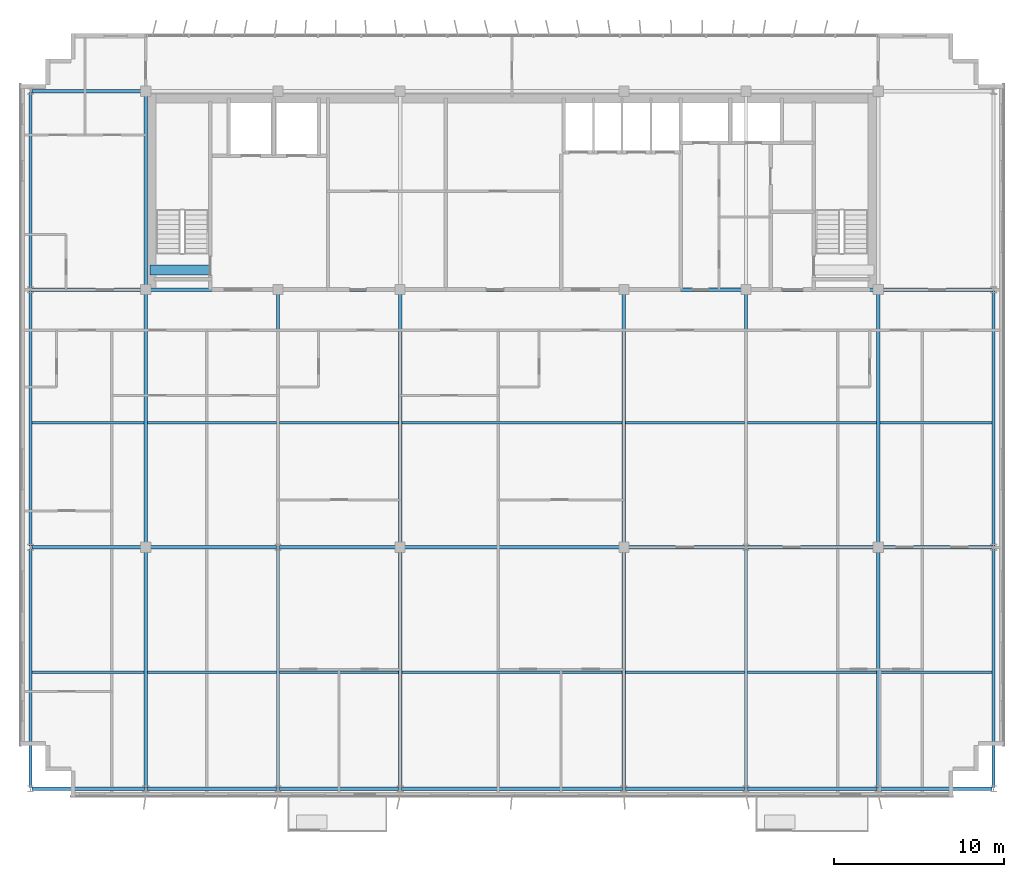
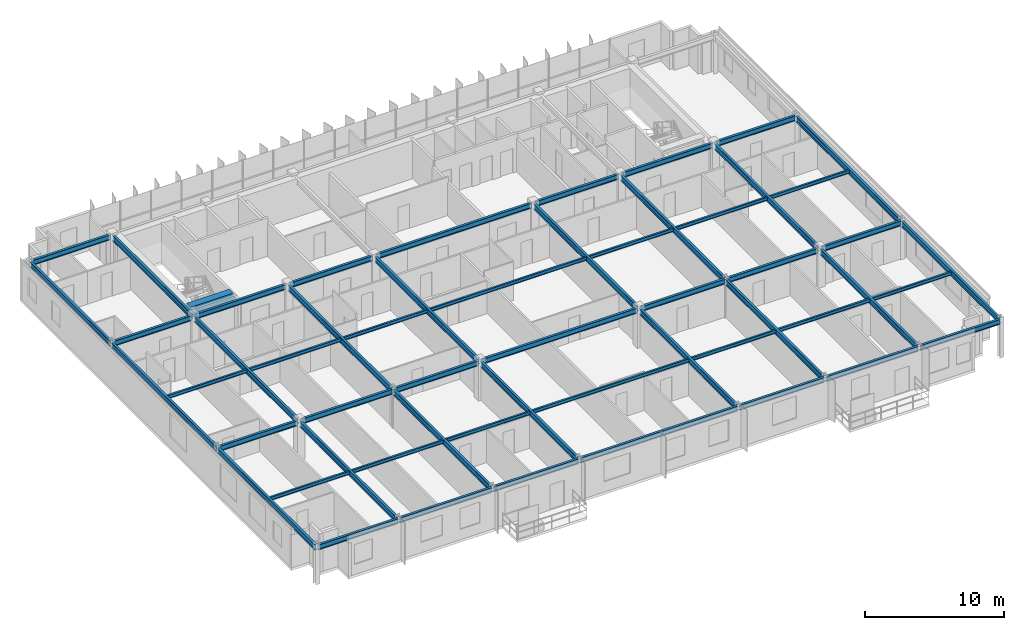
# One storey, part 5 of 23: 55 beams.
"""IFC4 building model written with IfcOpenShell, lengths in metres."""

from ifc_helpers import new_model, si_unit, direction, frame, origin, origin_2d, place, context, subcontext, project, spatial, rectangle, i_section, extrude, source, transform, mapped, material, material_profile, profile_set, type_object, element, save


model = new_model("IFC4")

# Units and contexts
model_context = context("Model", 3, precision=1e-05, world=origin(), true_north=direction((0.0, 1.0)))
body_context = subcontext(model_context, "Body", "Model", "MODEL_VIEW")
ifc_project = project(units=[si_unit("LENGTHUNIT", "METRE"), si_unit("AREAUNIT", "SQUARE_METRE"), si_unit("VOLUMEUNIT", "CUBIC_METRE"), si_unit("PLANEANGLEUNIT", "RADIAN"), si_unit("MASSUNIT", "GRAM", prefix="KILO")], contexts=[model_context])

# Site, building, storey
site_placement = place(None, origin())
site = spatial("IfcSite", under=ifc_project, at=site_placement, CompositionType="ELEMENT")
building_placement = place(site_placement, origin())
building = spatial("IfcBuilding", under=site, at=building_placement, Name="Trelvane Seafront Commons", CompositionType="ELEMENT")
storey_placement = place(building_placement, frame((0.0, 0.0, 266.699951171875)))
storey = spatial("IfcBuildingStorey", under=building, at=storey_placement, Name="L69", CompositionType="ELEMENT", Elevation=266.699951171875)

# Beams
ifc_material_1 = material(Name="Concrete C60/75", Category="concrete")
ifc_material_profile_1 = material_profile(ifc_material_1, rectangle(XDim=0.60009765625, YDim=0.89990234375, at=origin_2d()), Name="RC-600x900")
ifc_profile_set_1 = profile_set([ifc_material_profile_1], Name="Concrete C60/75")
beam_type_1 = type_object("IfcBeamType", Name="STR-LNT-RC600x900", PredefinedType="LINTEL", material=ifc_profile_set_1)
shared_shape_1 = source(origin(), body_context, "Body", "SweptSolid", [
    extrude(rectangle(XDim=0.60009765625, YDim=0.89990234375, at=origin_2d()), origin(), (0.0, 0.0, 1.0), 3.5498046875),
])
beam_1_placement = place(storey_placement, frame((15.85009765625, 34.550048828125, 2.920166015625), z_axis=(1.0, 0.0, 0.0), x_axis=(0.0, 1.0, 0.0)))
element("IfcBeam", 1, at=beam_1_placement, inside=storey, type_object=beam_type_1, Name="L69 Core Coupling Lintel Beam CB-67", PredefinedType="LINTEL", context=body_context, shape_type="MappedRepresentation", body=[
    mapped(shared_shape_1, transform((0.0, 0.0, 0.0), x_axis=(1.0, 0.0, 0.0), y_axis=(0.0, 1.0, 0.0), z_axis=(0.0, 0.0, 1.0), scale=1.0)),
])
ifc_material_2 = material(Name="Steel SM355 (S355)", Category="steel")
ifc_material_profile_2 = material_profile(ifc_material_2, i_section(OverallWidth=0.199951171875, OverallDepth=0.5, WebThickness=0.010009765625, FlangeThickness=0.01611328125, at=origin_2d()), Name="H-500x200x10x16")
ifc_profile_set_2 = profile_set([ifc_material_profile_2], Name="Steel SM355 (S355)")
beam_type_2 = type_object("IfcBeamType", Name="STR-BM-H500", PredefinedType="BEAM", material=ifc_profile_set_2)
shared_shape_2 = source(origin(), body_context, "Body", "SweptSolid", [
    extrude(i_section(OverallWidth=0.199951171875, OverallDepth=0.5, WebThickness=0.010009765625, FlangeThickness=0.01611328125, at=origin_2d()), origin(), (0.0, 0.0, 1.0), 14.89990234375),
])
for number, where, z_axis, x_axis, name in (
    (2, (15.60009765625, 18.35009765625, 3.1201171875), (0.0, 1.0, 0.0), (-1.0, 0.0, 0.0), "L69 Primary Girder G-33"),
    (3, (30.60009765625, 18.35009765625, 3.1201171875), (0.0, 1.0, 0.0), (-1.0, 0.0, 0.0), "L69 Primary Girder G-39"),
    (4, (43.800048828125, 18.35009765625, 3.1201171875), (0.0, 1.0, 0.0), (-1.0, 0.0, 0.0), "L69 Primary Girder G-42"),
    (5, (58.800048828125, 18.35009765625, 3.1201171875), (0.0, 1.0, 0.0), (-1.0, 0.0, 0.0), "L69 Primary Girder G-48"),
):
    element("IfcBeam", number, at=place(storey_placement, frame(where, z_axis=z_axis, x_axis=x_axis)), inside=storey, type_object=beam_type_2, Name=name, PredefinedType="BEAM", context=body_context, shape_type="MappedRepresentation", body=[
        mapped(shared_shape_2, transform((0.0, 0.0, 0.0), x_axis=(1.0, 0.0, 0.0), y_axis=(0.0, 1.0, 0.0), z_axis=(0.0, 0.0, 1.0), scale=1.0)),
    ])
shared_shape_3 = source(origin(), body_context, "Body", "SweptSolid", [
    extrude(i_section(OverallWidth=0.199951171875, OverallDepth=0.5, WebThickness=0.010009765625, FlangeThickness=0.01611328125, at=origin_2d()), origin(), (0.0, 0.0, 1.0), 11.39990234375),
])
beam_2_placement = place(storey_placement, frame((15.60009765625, 33.550048828125, 3.1201171875), z_axis=(0.0, 1.0, 0.0), x_axis=(-1.0, 0.0, 0.0)))
element("IfcBeam", 6, at=beam_2_placement, inside=storey, type_object=beam_type_2, Name="L69 Primary Girder G-34", PredefinedType="BEAM", context=body_context, shape_type="MappedRepresentation", body=[
    mapped(shared_shape_3, transform((0.0, 0.0, 0.0), x_axis=(1.0, 0.0, 0.0), y_axis=(0.0, 1.0, 0.0), z_axis=(0.0, 0.0, 1.0), scale=1.0)),
])
ifc_material_profile_3 = material_profile(ifc_material_2, i_section(OverallWidth=0.199951171875, OverallDepth=0.449951171875, WebThickness=0.009033203125, FlangeThickness=0.013916015625, at=origin_2d()), Name="H-450x200x9x14")
ifc_profile_set_3 = profile_set([ifc_material_profile_3], Name="Steel SM355 (S355)")
beam_type_3 = type_object("IfcBeamType", Name="STR-SPD-H450", PredefinedType="SPANDREL", material=ifc_profile_set_3)
shared_shape_4 = source(origin(), body_context, "Body", "SweptSolid", [
    extrude(i_section(OverallWidth=0.199951171875, OverallDepth=0.449951171875, WebThickness=0.009033203125, FlangeThickness=0.013916015625, at=origin_2d()), origin(), (0.0, 0.0, 1.0), 6.625),
])
for number, where, z_axis, x_axis, name in (
    (7, (8.887451171875, 3.949951171875, 3.14501953125), (1.0, 0.0, 0.0), (0.0, 1.0, 0.0), "L69 Primary Girder G-01"),
    (8, (58.887451171875, 3.949951171875, 3.14501953125), (1.0, 0.0, 0.0), (0.0, 1.0, 0.0), "L69 Primary Girder G-07"),
):
    element("IfcBeam", number, at=place(storey_placement, frame(where, z_axis=z_axis, x_axis=x_axis)), inside=storey, type_object=beam_type_3, Name=name, PredefinedType="SPANDREL", context=body_context, shape_type="MappedRepresentation", body=[
        mapped(shared_shape_4, transform((0.0, 0.0, 0.0), x_axis=(1.0, 0.0, 0.0), y_axis=(0.0, 1.0, 0.0), z_axis=(0.0, 0.0, 1.0), scale=1.0)),
    ])
shared_shape_5 = source(origin(), body_context, "Body", "SweptSolid", [
    extrude(i_section(OverallWidth=0.199951171875, OverallDepth=0.449951171875, WebThickness=0.009033203125, FlangeThickness=0.013916015625, at=origin_2d()), origin(), (0.0, 0.0, 1.0), 7.625),
])
for number, where, z_axis, x_axis, name in (
    (9, (15.6875, 3.949951171875, 3.14501953125), (1.0, 0.0, 0.0), (0.0, 1.0, 0.0), "L69 Primary Girder G-02"),
    (10, (51.08740234375, 3.949951171875, 3.14501953125), (1.0, 0.0, 0.0), (0.0, 1.0, 0.0), "L69 Primary Girder G-06"),
):
    element("IfcBeam", number, at=place(storey_placement, frame(where, z_axis=z_axis, x_axis=x_axis)), inside=storey, type_object=beam_type_3, Name=name, PredefinedType="SPANDREL", context=body_context, shape_type="MappedRepresentation", body=[
        mapped(shared_shape_5, transform((0.0, 0.0, 0.0), x_axis=(1.0, 0.0, 0.0), y_axis=(0.0, 1.0, 0.0), z_axis=(0.0, 0.0, 1.0), scale=1.0)),
    ])
shared_shape_6 = source(origin(), body_context, "Body", "SweptSolid", [
    extrude(i_section(OverallWidth=0.199951171875, OverallDepth=0.449951171875, WebThickness=0.009033203125, FlangeThickness=0.013916015625, at=origin_2d()), origin(), (0.0, 0.0, 1.0), 7.02490234375),
])
beam_3_placement = place(storey_placement, frame((23.487548828125, 3.949951171875, 3.14501953125), z_axis=(1.0, 0.0, 0.0), x_axis=(0.0, 1.0, 0.0)))
element("IfcBeam", 11, at=beam_3_placement, inside=storey, type_object=beam_type_3, Name="L69 Primary Girder G-03", PredefinedType="SPANDREL", context=body_context, shape_type="MappedRepresentation", body=[
    mapped(shared_shape_6, transform((0.0, 0.0, 0.0), x_axis=(1.0, 0.0, 0.0), y_axis=(0.0, 1.0, 0.0), z_axis=(0.0, 0.0, 1.0), scale=1.0)),
])
shared_shape_7 = source(origin(), body_context, "Body", "SweptSolid", [
    extrude(i_section(OverallWidth=0.199951171875, OverallDepth=0.449951171875, WebThickness=0.009033203125, FlangeThickness=0.013916015625, at=origin_2d()), origin(), (0.0, 0.0, 1.0), 7.025146484375),
])
beam_4_placement = place(storey_placement, frame((43.887451171875, 3.949951171875, 3.14501953125), z_axis=(1.0, 0.0, 0.0), x_axis=(0.0, 1.0, 0.0)))
element("IfcBeam", 12, at=beam_4_placement, inside=storey, type_object=beam_type_3, Name="L69 Primary Girder G-05", PredefinedType="SPANDREL", context=body_context, shape_type="MappedRepresentation", body=[
    mapped(shared_shape_7, transform((0.0, 0.0, 0.0), x_axis=(1.0, 0.0, 0.0), y_axis=(0.0, 1.0, 0.0), z_axis=(0.0, 0.0, 1.0), scale=1.0)),
])
shared_shape_8 = source(origin(), body_context, "Body", "SweptSolid", [
    extrude(i_section(OverallWidth=0.199951171875, OverallDepth=0.449951171875, WebThickness=0.009033203125, FlangeThickness=0.013916015625, at=origin_2d()), origin(), (0.0, 0.0, 1.0), 6.5625),
])
for number, where, z_axis, x_axis, name in (
    (13, (8.887451171875, 18.199951171875, 3.14501953125), (1.0, 0.0, 0.0), (0.0, 1.0, 0.0), "L69 Primary Girder G-08"),
    (14, (58.949951171875, 18.199951171875, 3.14501953125), (1.0, 0.0, 0.0), (0.0, 1.0, 0.0), "L69 Primary Girder G-14"),
    (15, (8.887451171875, 33.39990234375, 3.14501953125), (1.0, 0.0, 0.0), (0.0, 1.0, 0.0), "L69 Primary Girder G-15"),
    (16, (58.949951171875, 33.39990234375, 3.14501953125), (1.0, 0.0, 0.0), (0.0, 1.0, 0.0), "L69 Primary Girder G-21"),
    (17, (8.887451171875, 45.10009765625, 3.14501953125), (1.0, 0.0, 0.0), (0.0, 1.0, 0.0), "L69 Primary Girder G-22"),
):
    element("IfcBeam", number, at=place(storey_placement, frame(where, z_axis=z_axis, x_axis=x_axis)), inside=storey, type_object=beam_type_3, Name=name, PredefinedType="SPANDREL", context=body_context, shape_type="MappedRepresentation", body=[
        mapped(shared_shape_8, transform((0.0, 0.0, 0.0), x_axis=(1.0, 0.0, 0.0), y_axis=(0.0, 1.0, 0.0), z_axis=(0.0, 0.0, 1.0), scale=1.0)),
    ])
shared_shape_9 = source(origin(), body_context, "Body", "SweptSolid", [
    extrude(i_section(OverallWidth=0.199951171875, OverallDepth=0.449951171875, WebThickness=0.009033203125, FlangeThickness=0.013916015625, at=origin_2d()), origin(), (0.0, 0.0, 1.0), 7.5625),
])
for number, where, z_axis, x_axis, name in (
    (18, (15.75, 18.199951171875, 3.14501953125), (1.0, 0.0, 0.0), (0.0, 1.0, 0.0), "L69 Primary Girder G-09"),
    (19, (51.08740234375, 18.199951171875, 3.14501953125), (1.0, 0.0, 0.0), (0.0, 1.0, 0.0), "L69 Primary Girder G-13"),
):
    element("IfcBeam", number, at=place(storey_placement, frame(where, z_axis=z_axis, x_axis=x_axis)), inside=storey, type_object=beam_type_3, Name=name, PredefinedType="SPANDREL", context=body_context, shape_type="MappedRepresentation", body=[
        mapped(shared_shape_9, transform((0.0, 0.0, 0.0), x_axis=(1.0, 0.0, 0.0), y_axis=(0.0, 1.0, 0.0), z_axis=(0.0, 0.0, 1.0), scale=1.0)),
    ])
shared_shape_10 = source(origin(), body_context, "Body", "SweptSolid", [
    extrude(i_section(OverallWidth=0.199951171875, OverallDepth=0.449951171875, WebThickness=0.009033203125, FlangeThickness=0.013916015625, at=origin_2d()), origin(), (0.0, 0.0, 1.0), 6.96240234375),
])
beam_5_placement = place(storey_placement, frame((23.487548828125, 18.199951171875, 3.14501953125), z_axis=(1.0, 0.0, 0.0), x_axis=(0.0, 1.0, 0.0)))
element("IfcBeam", 20, at=beam_5_placement, inside=storey, type_object=beam_type_3, Name="L69 Primary Girder G-10", PredefinedType="SPANDREL", context=body_context, shape_type="MappedRepresentation", body=[
    mapped(shared_shape_10, transform((0.0, 0.0, 0.0), x_axis=(1.0, 0.0, 0.0), y_axis=(0.0, 1.0, 0.0), z_axis=(0.0, 0.0, 1.0), scale=1.0)),
])
shared_shape_11 = source(origin(), body_context, "Body", "SweptSolid", [
    extrude(i_section(OverallWidth=0.199951171875, OverallDepth=0.449951171875, WebThickness=0.009033203125, FlangeThickness=0.013916015625, at=origin_2d()), origin(), (0.0, 0.0, 1.0), 6.962646484375),
])
beam_6_placement = place(storey_placement, frame((43.949951171875, 18.199951171875, 3.14501953125), z_axis=(1.0, 0.0, 0.0), x_axis=(0.0, 1.0, 0.0)))
element("IfcBeam", 21, at=beam_6_placement, inside=storey, type_object=beam_type_3, Name="L69 Primary Girder G-12", PredefinedType="SPANDREL", context=body_context, shape_type="MappedRepresentation", body=[
    mapped(shared_shape_11, transform((0.0, 0.0, 0.0), x_axis=(1.0, 0.0, 0.0), y_axis=(0.0, 1.0, 0.0), z_axis=(0.0, 0.0, 1.0), scale=1.0)),
])
shared_shape_12 = source(origin(), body_context, "Body", "SweptSolid", [
    extrude(i_section(OverallWidth=0.199951171875, OverallDepth=0.449951171875, WebThickness=0.009033203125, FlangeThickness=0.013916015625, at=origin_2d()), origin(), (0.0, 0.0, 1.0), 7.5),
])
for number, where, z_axis, x_axis, name in (
    (22, (15.75, 33.39990234375, 3.14501953125), (1.0, 0.0, 0.0), (0.0, 1.0, 0.0), "L69 Primary Girder G-16"),
    (23, (51.14990234375, 33.39990234375, 3.14501953125), (1.0, 0.0, 0.0), (0.0, 1.0, 0.0), "L69 Primary Girder G-20"),
):
    element("IfcBeam", number, at=place(storey_placement, frame(where, z_axis=z_axis, x_axis=x_axis)), inside=storey, type_object=beam_type_3, Name=name, PredefinedType="SPANDREL", context=body_context, shape_type="MappedRepresentation", body=[
        mapped(shared_shape_12, transform((0.0, 0.0, 0.0), x_axis=(1.0, 0.0, 0.0), y_axis=(0.0, 1.0, 0.0), z_axis=(0.0, 0.0, 1.0), scale=1.0)),
    ])
shared_shape_13 = source(origin(), body_context, "Body", "SweptSolid", [
    extrude(i_section(OverallWidth=0.199951171875, OverallDepth=0.449951171875, WebThickness=0.009033203125, FlangeThickness=0.013916015625, at=origin_2d()), origin(), (0.0, 0.0, 1.0), 6.89990234375),
])
beam_7_placement = place(storey_placement, frame((23.550048828125, 33.39990234375, 3.14501953125), z_axis=(1.0, 0.0, 0.0), x_axis=(0.0, 1.0, 0.0)))
element("IfcBeam", 24, at=beam_7_placement, inside=storey, type_object=beam_type_3, Name="L69 Primary Girder G-17", PredefinedType="SPANDREL", context=body_context, shape_type="MappedRepresentation", body=[
    mapped(shared_shape_13, transform((0.0, 0.0, 0.0), x_axis=(1.0, 0.0, 0.0), y_axis=(0.0, 1.0, 0.0), z_axis=(0.0, 0.0, 1.0), scale=1.0)),
])
shared_shape_14 = source(origin(), body_context, "Body", "SweptSolid", [
    extrude(i_section(OverallWidth=0.199951171875, OverallDepth=0.449951171875, WebThickness=0.009033203125, FlangeThickness=0.013916015625, at=origin_2d()), origin(), (0.0, 0.0, 1.0), 12.89990234375),
])
for number, where, z_axis, x_axis, name in (
    (25, (30.75, 18.199951171875, 3.14501953125), (1.0, 0.0, 0.0), (0.0, 1.0, 0.0), "L69 Primary Girder G-11"),
    (26, (30.75, 33.39990234375, 3.14501953125), (1.0, 0.0, 0.0), (0.0, 1.0, 0.0), "L69 Primary Girder G-18"),
):
    element("IfcBeam", number, at=place(storey_placement, frame(where, z_axis=z_axis, x_axis=x_axis)), inside=storey, type_object=beam_type_3, Name=name, PredefinedType="SPANDREL", context=body_context, shape_type="MappedRepresentation", body=[
        mapped(shared_shape_14, transform((0.0, 0.0, 0.0), x_axis=(1.0, 0.0, 0.0), y_axis=(0.0, 1.0, 0.0), z_axis=(0.0, 0.0, 1.0), scale=1.0)),
    ])
shared_shape_15 = source(origin(), body_context, "Body", "SweptSolid", [
    extrude(i_section(OverallWidth=0.199951171875, OverallDepth=0.449951171875, WebThickness=0.009033203125, FlangeThickness=0.013916015625, at=origin_2d()), origin(), (0.0, 0.0, 1.0), 6.900146484375),
])
beam_8_placement = place(storey_placement, frame((43.949951171875, 33.39990234375, 3.14501953125), z_axis=(1.0, 0.0, 0.0), x_axis=(0.0, 1.0, 0.0)))
element("IfcBeam", 27, at=beam_8_placement, inside=storey, type_object=beam_type_3, Name="L69 Primary Girder G-19", PredefinedType="SPANDREL", context=body_context, shape_type="MappedRepresentation", body=[
    mapped(shared_shape_15, transform((0.0, 0.0, 0.0), x_axis=(1.0, 0.0, 0.0), y_axis=(0.0, 1.0, 0.0), z_axis=(0.0, 0.0, 1.0), scale=1.0)),
])
shared_shape_16 = source(origin(), body_context, "Body", "SweptSolid", [
    extrude(i_section(OverallWidth=0.199951171875, OverallDepth=0.5, WebThickness=0.010009765625, FlangeThickness=0.01611328125, at=origin_2d()), origin(), (0.0, 0.0, 1.0), 14.074951171875),
])
for number, where, z_axis, x_axis, name in (
    (28, (8.800048828125, 4.03759765625, 3.1201171875), (0.0, 1.0, 0.0), (-1.0, 0.0, 0.0), "L69 Primary Girder G-29"),
    (29, (23.39990234375, 4.03759765625, 3.1201171875), (0.0, 1.0, 0.0), (-1.0, 0.0, 0.0), "L69 Primary Girder G-35"),
    (30, (51.0, 4.03759765625, 3.1201171875), (0.0, 1.0, 0.0), (-1.0, 0.0, 0.0), "L69 Primary Girder G-44"),
    (31, (65.60009765625, 4.03759765625, 3.1201171875), (0.0, 1.0, 0.0), (-1.0, 0.0, 0.0), "L69 Primary Girder G-50"),
):
    element("IfcBeam", number, at=place(storey_placement, frame(where, z_axis=z_axis, x_axis=x_axis)), inside=storey, type_object=beam_type_2, Name=name, PredefinedType="BEAM", context=body_context, shape_type="MappedRepresentation", body=[
        mapped(shared_shape_16, transform((0.0, 0.0, 0.0), x_axis=(1.0, 0.0, 0.0), y_axis=(0.0, 1.0, 0.0), z_axis=(0.0, 0.0, 1.0), scale=1.0)),
    ])
shared_shape_17 = source(origin(), body_context, "Body", "SweptSolid", [
    extrude(i_section(OverallWidth=0.199951171875, OverallDepth=0.5, WebThickness=0.010009765625, FlangeThickness=0.01611328125, at=origin_2d()), origin(), (0.0, 0.0, 1.0), 15.02490234375),
])
for number, where, z_axis, x_axis, name in (
    (32, (8.800048828125, 18.28759765625, 3.1201171875), (0.0, 1.0, 0.0), (-1.0, 0.0, 0.0), "L69 Primary Girder G-30"),
    (33, (65.60009765625, 18.28759765625, 3.1201171875), (0.0, 1.0, 0.0), (-1.0, 0.0, 0.0), "L69 Primary Girder G-51"),
):
    element("IfcBeam", number, at=place(storey_placement, frame(where, z_axis=z_axis, x_axis=x_axis)), inside=storey, type_object=beam_type_2, Name=name, PredefinedType="BEAM", context=body_context, shape_type="MappedRepresentation", body=[
        mapped(shared_shape_17, transform((0.0, 0.0, 0.0), x_axis=(1.0, 0.0, 0.0), y_axis=(0.0, 1.0, 0.0), z_axis=(0.0, 0.0, 1.0), scale=1.0)),
    ])
shared_shape_18 = source(origin(), body_context, "Body", "SweptSolid", [
    extrude(i_section(OverallWidth=0.199951171875, OverallDepth=0.5, WebThickness=0.010009765625, FlangeThickness=0.01611328125, at=origin_2d()), origin(), (0.0, 0.0, 1.0), 11.52490234375),
])
beam_9_placement = place(storey_placement, frame((8.800048828125, 33.487548828125, 3.1201171875), z_axis=(0.0, 1.0, 0.0), x_axis=(-1.0, 0.0, 0.0)))
element("IfcBeam", 34, at=beam_9_placement, inside=storey, type_object=beam_type_2, Name="L69 Primary Girder G-31", PredefinedType="BEAM", context=body_context, shape_type="MappedRepresentation", body=[
    mapped(shared_shape_18, transform((0.0, 0.0, 0.0), x_axis=(1.0, 0.0, 0.0), y_axis=(0.0, 1.0, 0.0), z_axis=(0.0, 0.0, 1.0), scale=1.0)),
])
shared_shape_19 = source(origin(), body_context, "Body", "SweptSolid", [
    extrude(i_section(OverallWidth=0.199951171875, OverallDepth=0.5, WebThickness=0.010009765625, FlangeThickness=0.01611328125, at=origin_2d()), origin(), (0.0, 0.0, 1.0), 14.012451171875),
])
for number, where, z_axis, x_axis, name in (
    (35, (15.60009765625, 4.03759765625, 3.1201171875), (0.0, 1.0, 0.0), (-1.0, 0.0, 0.0), "L69 Primary Girder G-32"),
    (36, (30.60009765625, 4.03759765625, 3.1201171875), (0.0, 1.0, 0.0), (-1.0, 0.0, 0.0), "L69 Primary Girder G-38"),
    (37, (43.800048828125, 4.03759765625, 3.1201171875), (0.0, 1.0, 0.0), (-1.0, 0.0, 0.0), "L69 Primary Girder G-41"),
    (38, (58.800048828125, 4.03759765625, 3.1201171875), (0.0, 1.0, 0.0), (-1.0, 0.0, 0.0), "L69 Primary Girder G-47"),
):
    element("IfcBeam", number, at=place(storey_placement, frame(where, z_axis=z_axis, x_axis=x_axis)), inside=storey, type_object=beam_type_2, Name=name, PredefinedType="BEAM", context=body_context, shape_type="MappedRepresentation", body=[
        mapped(shared_shape_19, transform((0.0, 0.0, 0.0), x_axis=(1.0, 0.0, 0.0), y_axis=(0.0, 1.0, 0.0), z_axis=(0.0, 0.0, 1.0), scale=1.0)),
    ])
shared_shape_20 = source(origin(), body_context, "Body", "SweptSolid", [
    extrude(i_section(OverallWidth=0.199951171875, OverallDepth=0.5, WebThickness=0.010009765625, FlangeThickness=0.01611328125, at=origin_2d()), origin(), (0.0, 0.0, 1.0), 14.96240234375),
])
for number, where, z_axis, x_axis, name in (
    (39, (23.39990234375, 18.28759765625, 3.1201171875), (0.0, 1.0, 0.0), (-1.0, 0.0, 0.0), "L69 Primary Girder G-36"),
    (40, (51.0, 18.28759765625, 3.1201171875), (0.0, 1.0, 0.0), (-1.0, 0.0, 0.0), "L69 Primary Girder G-45"),
):
    element("IfcBeam", number, at=place(storey_placement, frame(where, z_axis=z_axis, x_axis=x_axis)), inside=storey, type_object=beam_type_2, Name=name, PredefinedType="BEAM", context=body_context, shape_type="MappedRepresentation", body=[
        mapped(shared_shape_20, transform((0.0, 0.0, 0.0), x_axis=(1.0, 0.0, 0.0), y_axis=(0.0, 1.0, 0.0), z_axis=(0.0, 0.0, 1.0), scale=1.0)),
    ])
ifc_material_profile_4 = material_profile(ifc_material_2, i_section(OverallWidth=0.14990234375, OverallDepth=0.300048828125, WebThickness=0.006591796875, FlangeThickness=0.009033203125, at=origin_2d()), Name="H-300x150x6.5x9")
ifc_profile_set_4 = profile_set([ifc_material_profile_4], Name="Steel SM355 (S355)")
beam_type_4 = type_object("IfcBeamType", Name="STR-JST-H300", PredefinedType="JOIST", material=ifc_profile_set_4)
shared_shape_21 = source(origin(), body_context, "Body", "SweptSolid", [
    extrude(i_section(OverallWidth=0.14990234375, OverallDepth=0.300048828125, WebThickness=0.006591796875, FlangeThickness=0.009033203125, at=origin_2d()), origin(), (0.0, 0.0, 1.0), 6.60009765625),
])
for number, where, z_axis, x_axis, name in (
    (41, (8.89990234375, 10.824951171875, 3.219970703125), (1.0, 0.0, 0.0), (0.0, 1.0, 0.0), "L69 Secondary Floor Joist B-53"),
    (42, (58.89990234375, 10.824951171875, 3.219970703125), (1.0, 0.0, 0.0), (0.0, 1.0, 0.0), "L69 Secondary Floor Joist B-59"),
    (43, (8.89990234375, 25.550048828125, 3.219970703125), (1.0, 0.0, 0.0), (0.0, 1.0, 0.0), "L69 Secondary Floor Joist B-60"),
    (44, (58.89990234375, 25.550048828125, 3.219970703125), (1.0, 0.0, 0.0), (0.0, 1.0, 0.0), "L69 Secondary Floor Joist B-66"),
):
    element("IfcBeam", number, at=place(storey_placement, frame(where, z_axis=z_axis, x_axis=x_axis)), inside=storey, type_object=beam_type_4, Name=name, PredefinedType="JOIST", context=body_context, shape_type="MappedRepresentation", body=[
        mapped(shared_shape_21, transform((0.0, 0.0, 0.0), x_axis=(1.0, 0.0, 0.0), y_axis=(0.0, 1.0, 0.0), z_axis=(0.0, 0.0, 1.0), scale=1.0)),
    ])
shared_shape_22 = source(origin(), body_context, "Body", "SweptSolid", [
    extrude(i_section(OverallWidth=0.14990234375, OverallDepth=0.300048828125, WebThickness=0.006591796875, FlangeThickness=0.009033203125, at=origin_2d()), origin(), (0.0, 0.0, 1.0), 7.60009765625),
])
for number, where, z_axis, x_axis, name in (
    (45, (15.699951171875, 10.824951171875, 3.219970703125), (1.0, 0.0, 0.0), (0.0, 1.0, 0.0), "L69 Secondary Floor Joist B-54"),
    (46, (15.699951171875, 25.550048828125, 3.219970703125), (1.0, 0.0, 0.0), (0.0, 1.0, 0.0), "L69 Secondary Floor Joist B-61"),
):
    element("IfcBeam", number, at=place(storey_placement, frame(where, z_axis=z_axis, x_axis=x_axis)), inside=storey, type_object=beam_type_4, Name=name, PredefinedType="JOIST", context=body_context, shape_type="MappedRepresentation", body=[
        mapped(shared_shape_22, transform((0.0, 0.0, 0.0), x_axis=(1.0, 0.0, 0.0), y_axis=(0.0, 1.0, 0.0), z_axis=(0.0, 0.0, 1.0), scale=1.0)),
    ])
shared_shape_23 = source(origin(), body_context, "Body", "SweptSolid", [
    extrude(i_section(OverallWidth=0.14990234375, OverallDepth=0.300048828125, WebThickness=0.006591796875, FlangeThickness=0.009033203125, at=origin_2d()), origin(), (0.0, 0.0, 1.0), 7.0),
])
for number, where, z_axis, x_axis, name in (
    (47, (23.5, 10.824951171875, 3.219970703125), (1.0, 0.0, 0.0), (0.0, 1.0, 0.0), "L69 Secondary Floor Joist B-55"),
    (48, (43.89990234375, 10.824951171875, 3.219970703125), (1.0, 0.0, 0.0), (0.0, 1.0, 0.0), "L69 Secondary Floor Joist B-57"),
    (49, (23.5, 25.550048828125, 3.219970703125), (1.0, 0.0, 0.0), (0.0, 1.0, 0.0), "L69 Secondary Floor Joist B-62"),
    (50, (43.89990234375, 25.550048828125, 3.219970703125), (1.0, 0.0, 0.0), (0.0, 1.0, 0.0), "L69 Secondary Floor Joist B-64"),
):
    element("IfcBeam", number, at=place(storey_placement, frame(where, z_axis=z_axis, x_axis=x_axis)), inside=storey, type_object=beam_type_4, Name=name, PredefinedType="JOIST", context=body_context, shape_type="MappedRepresentation", body=[
        mapped(shared_shape_23, transform((0.0, 0.0, 0.0), x_axis=(1.0, 0.0, 0.0), y_axis=(0.0, 1.0, 0.0), z_axis=(0.0, 0.0, 1.0), scale=1.0)),
    ])
shared_shape_24 = source(origin(), body_context, "Body", "SweptSolid", [
    extrude(i_section(OverallWidth=0.14990234375, OverallDepth=0.300048828125, WebThickness=0.006591796875, FlangeThickness=0.009033203125, at=origin_2d()), origin(), (0.0, 0.0, 1.0), 7.599853515625),
])
for number, where, z_axis, x_axis, name in (
    (51, (51.10009765625, 10.824951171875, 3.219970703125), (1.0, 0.0, 0.0), (0.0, 1.0, 0.0), "L69 Secondary Floor Joist B-58"),
    (52, (51.10009765625, 25.550048828125, 3.219970703125), (1.0, 0.0, 0.0), (0.0, 1.0, 0.0), "L69 Secondary Floor Joist B-65"),
):
    element("IfcBeam", number, at=place(storey_placement, frame(where, z_axis=z_axis, x_axis=x_axis)), inside=storey, type_object=beam_type_4, Name=name, PredefinedType="JOIST", context=body_context, shape_type="MappedRepresentation", body=[
        mapped(shared_shape_24, transform((0.0, 0.0, 0.0), x_axis=(1.0, 0.0, 0.0), y_axis=(0.0, 1.0, 0.0), z_axis=(0.0, 0.0, 1.0), scale=1.0)),
    ])
shared_shape_25 = source(origin(), body_context, "Body", "SweptSolid", [
    extrude(i_section(OverallWidth=0.14990234375, OverallDepth=0.300048828125, WebThickness=0.006591796875, FlangeThickness=0.009033203125, at=origin_2d()), origin(), (0.0, 0.0, 1.0), 13.0),
])
for number, where, z_axis, x_axis, name in (
    (53, (30.699951171875, 10.824951171875, 3.219970703125), (1.0, 0.0, 0.0), (0.0, 1.0, 0.0), "L69 Secondary Floor Joist B-56"),
    (54, (30.699951171875, 25.550048828125, 3.219970703125), (1.0, 0.0, 0.0), (0.0, 1.0, 0.0), "L69 Secondary Floor Joist B-63"),
):
    element("IfcBeam", number, at=place(storey_placement, frame(where, z_axis=z_axis, x_axis=x_axis)), inside=storey, type_object=beam_type_4, Name=name, PredefinedType="JOIST", context=body_context, shape_type="MappedRepresentation", body=[
        mapped(shared_shape_25, transform((0.0, 0.0, 0.0), x_axis=(1.0, 0.0, 0.0), y_axis=(0.0, 1.0, 0.0), z_axis=(0.0, 0.0, 1.0), scale=1.0)),
    ])
shared_shape_26 = source(origin(), body_context, "Body", "SweptSolid", [
    extrude(i_section(OverallWidth=0.199951171875, OverallDepth=0.449951171875, WebThickness=0.009033203125, FlangeThickness=0.013916015625, at=origin_2d()), origin(), (0.0, 0.0, 1.0), 13.02490234375),
])
beam_10_placement = place(storey_placement, frame((30.6875, 3.949951171875, 3.14501953125), z_axis=(1.0, 0.0, 0.0), x_axis=(0.0, 1.0, 0.0)))
element("IfcBeam", 55, at=beam_10_placement, inside=storey, type_object=beam_type_3, Name="L69 Primary Girder G-04", PredefinedType="SPANDREL", context=body_context, shape_type="MappedRepresentation", body=[
    mapped(shared_shape_26, transform((0.0, 0.0, 0.0), x_axis=(1.0, 0.0, 0.0), y_axis=(0.0, 1.0, 0.0), z_axis=(0.0, 0.0, 1.0), scale=1.0)),
])

save(model, "model.ifc")
